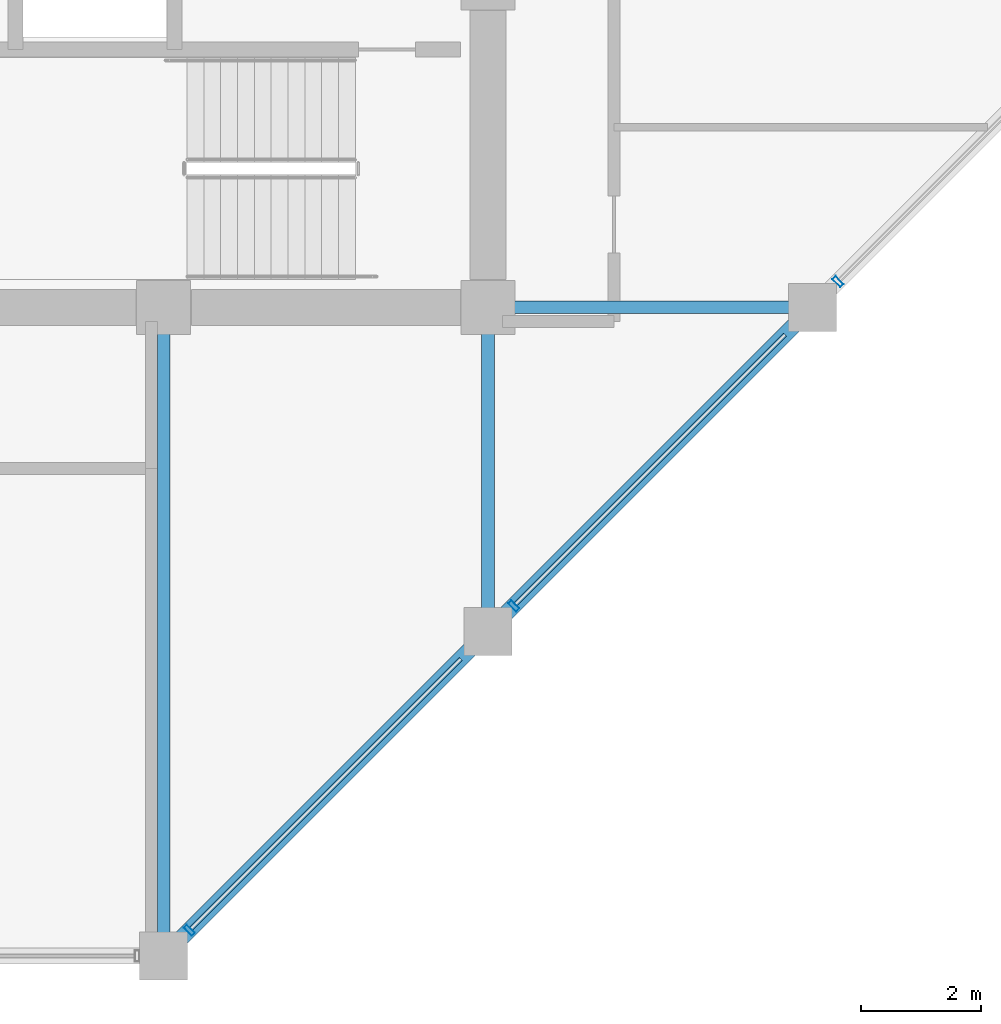
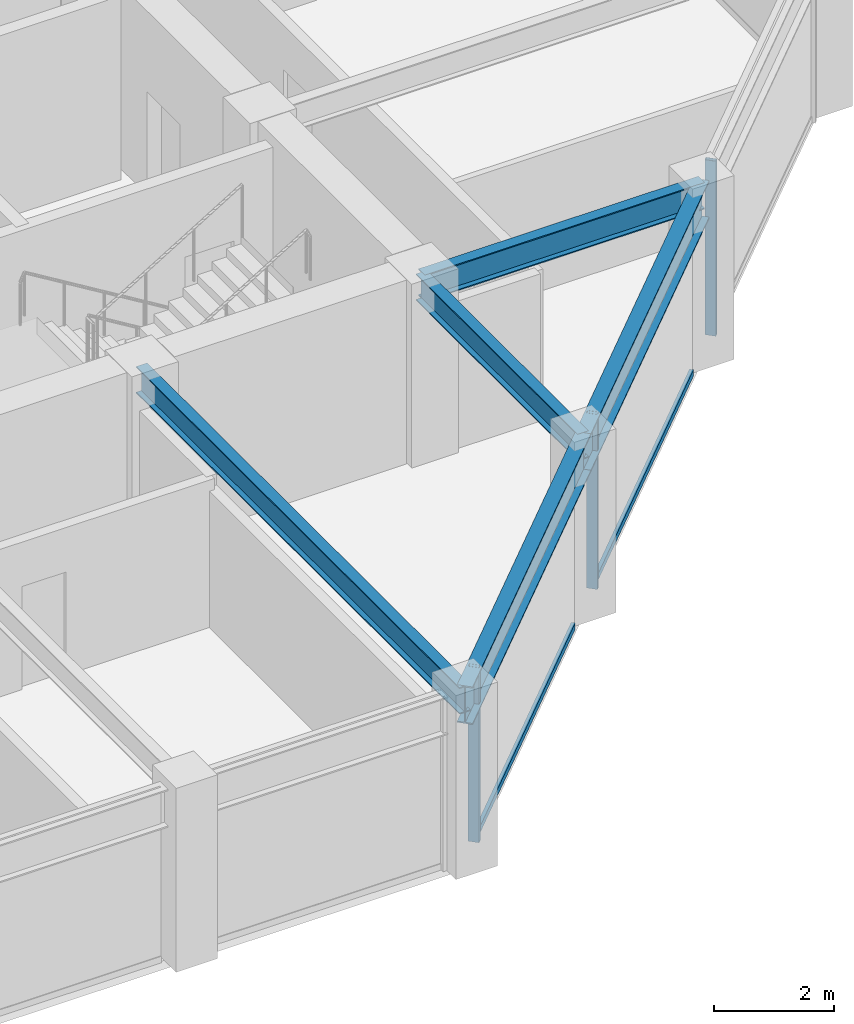
# One storey, part 12 of 32: 5 beams, 5 members, 1 element without a shape of its own.
"""IFC4 building model written with IfcOpenShell, lengths in metres."""

import ifcopenshell
import ifcopenshell.guid

model = None  # the IFC model being written
_history = None  # IfcOwnerHistory: only IFC2X3 demands one
_inside = {}  # id of a spatial element -> (the spatial element, [elements in it])
_under = {}  # id of a project, library or spatial element -> (it, [spatial elements below it])
_declared = {}  # id of a project -> (the project, [libraries it declares])
_typed = {}  # id of a type object -> (the type object, [elements of that type])
_made_of = {}  # id of a material, layer set ... -> (it, [elements and type objects made of it])


def new_model(schema):
    """Start an empty IFC model of exactly this schema.

    Asked for "IFC4X3", IfcOpenShell would pick the latest addendum, in which some entities
    have other attributes; the version numbers below select the first issue.
    IFC2X3 requires an IfcOwnerHistory on every rooted entity: one is made here for all.
    """
    global model, _history
    if schema == "IFC4X3":
        model = ifcopenshell.file(schema_version=(4, 3, 0, 0))
    else:
        model = ifcopenshell.file(schema=schema)
    _inside.clear()
    _under.clear()
    _declared.clear()
    _typed.clear()
    _made_of.clear()
    _history = None
    if model.schema == "IFC2X3":
        org = make("IfcOrganization", Name="unknown")
        user = make(
            "IfcPersonAndOrganization",
            ThePerson=make("IfcPerson", FamilyName="unknown"),
            TheOrganization=org,
        )
        app = make(
            "IfcApplication",
            ApplicationDeveloper=org,
            Version="unknown",
            ApplicationFullName="unknown",
            ApplicationIdentifier="unknown",
        )
        _history = make(
            "IfcOwnerHistory",
            OwningUser=user,
            OwningApplication=app,
            ChangeAction="ADDED",
            CreationDate=0,
        )
    return model


def make(cls, **values):
    """One entity of the class cls with the attributes given. An attribute that is None is left unset."""
    return model.create_entity(
        cls, **{name: value for name, value in values.items() if value is not None}
    )


def rooted(cls, **values):
    """An entity with a GlobalId (a new one), such as an element, a storey or a relation."""
    return make(cls, GlobalId=ifcopenshell.guid.new(), OwnerHistory=_history, **values)


def si_unit(unit_type, name, prefix=None):
    """IfcSIUnit, for example si_unit("LENGTHUNIT", "METRE", prefix="MILLI")."""
    return make("IfcSIUnit", UnitType=unit_type, Prefix=prefix, Name=name)


def assignment(units):
    """IfcUnitAssignment: the units of a project."""
    return None if units is None else make("IfcUnitAssignment", Units=units)


def point(xyz):
    """IfcCartesianPoint."""
    return None if xyz is None else make("IfcCartesianPoint", Coordinates=xyz)


def direction(xyz):
    """IfcDirection."""
    return None if xyz is None else make("IfcDirection", DirectionRatios=xyz)


def frame(location, z_axis=None, x_axis=None):
    """IfcAxis2Placement3D, a coordinate frame: its origin and axes. An axis left out is left unset."""
    return make(
        "IfcAxis2Placement3D",
        Location=point(location),
        Axis=direction(z_axis),
        RefDirection=direction(x_axis),
    )


def frame_2d(location, x_axis=None):
    """IfcAxis2Placement2D, a coordinate frame in the plane: its origin and x axis."""
    return make(
        "IfcAxis2Placement2D", Location=point(location), RefDirection=direction(x_axis)
    )


def origin():
    """The frame at (0, 0, 0) with its axes left unset."""
    return frame((0.0, 0.0, 0.0))


def origin_2d():
    """The frame at (0, 0) in the plane with its x axis left unset."""
    return frame_2d((0.0, 0.0))


def place(relative_to, where):
    """IfcLocalPlacement: puts the frame where relative to a parent placement (None: the world)."""
    return make(
        "IfcLocalPlacement", PlacementRelTo=relative_to, RelativePlacement=where
    )


def context(
    kind, dimensions, precision=None, world=None, true_north=None, identifier=None
):
    """IfcGeometricRepresentationContext, for example the 3D "Model" context."""
    return make(
        "IfcGeometricRepresentationContext",
        ContextIdentifier=identifier,
        ContextType=kind,
        CoordinateSpaceDimension=dimensions,
        Precision=precision,
        WorldCoordinateSystem=world,
        TrueNorth=true_north,
    )


def subcontext(parent, identifier, kind, view, scale=None):
    """IfcGeometricRepresentationSubContext, for example "Body" below "Model"."""
    return make(
        "IfcGeometricRepresentationSubContext",
        ContextIdentifier=identifier,
        ContextType=kind,
        ParentContext=parent,
        TargetScale=scale,
        TargetView=view,
    )


def project(units=None, contexts=None):
    """IfcProject with its units and contexts."""
    return rooted(
        "IfcProject",
        Name="project",
        RepresentationContexts=contexts,
        UnitsInContext=assignment(units),
    )


def spatial(cls, under=None, at=None, **own):
    """A site, building, storey or space (cls), placed at a placement, below another one or the project."""
    s = rooted(cls, ObjectPlacement=at, **own)
    if under is not None:
        _under.setdefault(under.id(), (under, []))[1].append(s)
    return s


def profile(cls, at=None, kind="AREA", **sizes):
    """A parametric profile (cls). Its sizes go by their IFC names, for example OverallWidth=200.0."""
    return make(cls, ProfileType=kind, Position=at, **sizes)


def hollow_rectangle(**sizes):
    """IfcRectangleHollowProfileDef."""
    return profile("IfcRectangleHollowProfileDef", **sizes)


def i_section(**sizes):
    """IfcIShapeProfileDef."""
    return profile("IfcIShapeProfileDef", **sizes)


def extrude(swept, where, along, depth):
    """IfcExtrudedAreaSolid: the profile swept, set in the frame where, extruded along a direction by depth."""
    return make(
        "IfcExtrudedAreaSolid",
        SweptArea=swept,
        Position=where,
        ExtrudedDirection=direction(along),
        Depth=depth,
    )


def shape(context_of_items, identifier, shape_type, items):
    """IfcShapeRepresentation: the items that make up one representation, for example the "Body"."""
    return make(
        "IfcShapeRepresentation",
        ContextOfItems=context_of_items,
        RepresentationIdentifier=identifier,
        RepresentationType=shape_type,
        Items=items,
    )


def material(Name=None, Category=None):
    """IfcMaterial."""
    return make("IfcMaterial", Name=Name, Category=Category)


def layer(
    of_material, thickness, ventilated=None, Name=None, Category=None, Priority=None
):
    """IfcMaterialLayer: one layer of a wall or slab, of a material (None: an air gap)."""
    return make(
        "IfcMaterialLayer",
        Material=of_material,
        LayerThickness=thickness,
        IsVentilated=ventilated,
        Name=Name,
        Category=Category,
        Priority=Priority,
    )


def layer_set(layers, Name=None):
    """IfcMaterialLayerSet."""
    return make("IfcMaterialLayerSet", MaterialLayers=layers, LayerSetName=Name)


def material_profile(
    of_material, cross_section, Name=None, Category=None, Priority=None
):
    """IfcMaterialProfile: a cross section and its material."""
    return make(
        "IfcMaterialProfile",
        Name=Name,
        Material=of_material,
        Profile=cross_section,
        Priority=Priority,
        Category=Category,
    )


def profile_set(profiles, Name=None, composite=None):
    """IfcMaterialProfileSet."""
    return make(
        "IfcMaterialProfileSet",
        Name=Name,
        MaterialProfiles=profiles,
        CompositeProfile=composite,
    )


def made_of(thing, what):
    """Note that an element or type object is made of a material, layer set ...; save() writes the relation."""
    if what is not None:
        _made_of.setdefault(what.id(), (what, []))[1].append(thing)
    return thing


def type_object(cls, material=None, **own):
    """A type object (cls), such as IfcWallType, which elements share."""
    return made_of(rooted(cls, **own), material)


def element(
    cls,
    number,
    at=None,
    inside=None,
    cuts=None,
    type_object=None,
    material=None,
    context=None,
    identifier="Body",
    shape_type=None,
    held_by="IfcProductDefinitionShape",
    body=None,
    shapes=None,
    **own,
):
    """One element of the class cls, such as IfcWall. Its Tag is "e" and its number.

    at: its placement. inside: the storey or other place that contains it. cuts: it is an
    opening in that element (IfcRelVoidsElement). A single representation is given by context,
    identifier, shape_type and body (its items); several are given by shapes. held_by: the class
    of the entity that holds the representations. save() writes the other relations.
    """
    e = rooted(cls, Tag="e%d" % number, ObjectPlacement=at, **own)
    if body is not None:
        shapes = [shape(context, identifier, shape_type, body)]
    if shapes is not None:
        e.Representation = make(held_by, Representations=shapes)
    if inside is not None:
        _inside.setdefault(inside.id(), (inside, []))[1].append(e)
    if cuts is not None:
        rooted(
            "IfcRelVoidsElement", RelatingBuildingElement=cuts, RelatedOpeningElement=e
        )
    if type_object is not None:
        _typed.setdefault(type_object.id(), (type_object, []))[1].append(e)
    return made_of(e, material)


def aggregate(whole, parts):
    """IfcRelAggregates: a whole, such as a stair, and the parts it consists of."""
    return rooted("IfcRelAggregates", RelatingObject=whole, RelatedObjects=parts)


def save(model, path):
    """Write the relations noted so far, then the file.

    IfcRelAggregates (storeys below a building ...), IfcRelContainedInSpatialStructure (elements
    in a storey), IfcRelDefinesByType, IfcRelAssociatesMaterial and IfcRelDeclares: one each for
    every whole, place, type object, material and project.
    """
    for whole, parts in _under.values():
        aggregate(whole, parts)
    for where, things in _inside.values():
        rooted(
            "IfcRelContainedInSpatialStructure",
            RelatedElements=things,
            RelatingStructure=where,
        )
    for kind, things in _typed.values():
        rooted("IfcRelDefinesByType", RelatedObjects=things, RelatingType=kind)
    for what, things in _made_of.values():
        rooted("IfcRelAssociatesMaterial", RelatedObjects=things, RelatingMaterial=what)
    for by, libraries in _declared.values():
        rooted("IfcRelDeclares", RelatingContext=by, RelatedDefinitions=libraries)
    model.write(path)


model = new_model("IFC4")

# Units and contexts
model_context = context("Model", 3, precision=1e-05, world=origin(), true_north=direction((0.0, 1.0)))
body_context = subcontext(model_context, "Body", "Model", "MODEL_VIEW")
ifc_project = project(units=[si_unit("LENGTHUNIT", "METRE"), si_unit("AREAUNIT", "SQUARE_METRE"), si_unit("VOLUMEUNIT", "CUBIC_METRE"), si_unit("PLANEANGLEUNIT", "RADIAN"), si_unit("MASSUNIT", "GRAM", prefix="KILO")], contexts=[model_context])

# Site, building, storey
site_placement = place(None, origin())
site = spatial("IfcSite", under=ifc_project, at=site_placement, CompositionType="ELEMENT")
building_placement = place(site_placement, origin())
building = spatial("IfcBuilding", under=site, at=building_placement, Name="Surkhivell Harbour Commons", CompositionType="ELEMENT")
storey_placement = place(building_placement, frame((0.0, 0.0, 219.75)))
storey = spatial("IfcBuildingStorey", under=building, at=storey_placement, Name="L57", CompositionType="ELEMENT", Elevation=219.75)

# Beams
ifc_material_1 = material(Name="Steel S355", Category="steel")
ifc_material_profile_1 = material_profile(ifc_material_1, i_section(OverallWidth=0.2119140625, OverallDepth=0.5439453125, WebThickness=0.0126953125, FlangeThickness=0.021240234375, at=origin_2d()), Name="UB533x210x122")
ifc_profile_set_1 = profile_set([ifc_material_profile_1], Name="Steel S355")
beam_type_1 = type_object("IfcBeamType", Name="BM-GRD-533A", PredefinedType="BEAM", material=ifc_profile_set_1)
beam_1_placement = place(storey_placement, frame((5.39990234375, -21.60009765625, 3.298095703125), z_axis=(0.0, 1.0, 0.0), x_axis=(-1.0, 0.0, 0.0)))
element("IfcBeam", 1, at=beam_1_placement, inside=storey, type_object=beam_type_1, Name="L57 Floor Girder (5.4,-21.6)", PredefinedType="BEAM", context=body_context, shape_type="SweptSolid", body=[
    extrude(i_section(OverallWidth=0.2119140625, OverallDepth=0.5439453125, WebThickness=0.0126953125, FlangeThickness=0.021240234375, at=origin_2d()), origin(), (0.0, 0.0, 1.0), 10.800048828125),
])
for number, where, z_axis, x_axis, name in (
    (2, (10.800048828125, -16.199951171875, 3.298095703125), (0.0, 1.0, 0.0), (-1.0, 0.0, 0.0), "L57 Floor Girder (10.8,-16.2)"),
    (3, (10.800048828125, -10.800048828125, 3.298095703125), (1.0, 0.0, 0.0), (0.0, 1.0, 0.0), "L57 Floor Girder (10.8,-10.8)"),
):
    element("IfcBeam", number, at=place(storey_placement, frame(where, z_axis=z_axis, x_axis=x_axis)), inside=storey, type_object=beam_type_1, Name=name, PredefinedType="BEAM", context=body_context, shape_type="SweptSolid", body=[
        extrude(i_section(OverallWidth=0.2119140625, OverallDepth=0.5439453125, WebThickness=0.0126953125, FlangeThickness=0.021240234375, at=origin_2d()), origin(), (0.0, 0.0, 1.0), 5.39990234375),
    ])
ifc_material_profile_2 = material_profile(ifc_material_1, i_section(OverallWidth=0.26806640625, OverallDepth=0.77001953125, WebThickness=0.015625, FlangeThickness=0.025390625, at=origin_2d()), Name="UB762x267x197")
ifc_profile_set_2 = profile_set([ifc_material_profile_2], Name="Steel S355")
beam_type_2 = type_object("IfcBeamType", Name="BM-SPN-762", PredefinedType="SPANDREL", material=ifc_profile_set_2)
beam_2_placement = place(storey_placement, frame((5.39990234375, -21.60009765625, 3.18505859375), z_axis=(0.707106781187, 0.707106781187, 0.0), x_axis=(-0.707106781187, 0.707106781187, 0.0)))
element("IfcBeam", 4, at=beam_2_placement, inside=storey, type_object=beam_type_2, Name="L57 Tube Spandrel (5.4,-21.6)", PredefinedType="SPANDREL", context=body_context, shape_type="SweptSolid", body=[
    extrude(i_section(OverallWidth=0.26806640625, OverallDepth=0.77001953125, WebThickness=0.015625, FlangeThickness=0.025390625, at=origin_2d()), origin(), (0.0, 0.0, 1.0), 7.636962890625),
])
beam_3_placement = place(storey_placement, frame((10.800048828125, -16.199951171875, 3.18505859375), z_axis=(0.707106781187, 0.707106781187, 0.0), x_axis=(-0.707106781187, 0.707106781187, 0.0)))
element("IfcBeam", 5, at=beam_3_placement, inside=storey, type_object=beam_type_2, Name="L57 Tube Spandrel (10.8,-16.2)", PredefinedType="SPANDREL", context=body_context, shape_type="SweptSolid", body=[
    extrude(i_section(OverallWidth=0.26806640625, OverallDepth=0.77001953125, WebThickness=0.015625, FlangeThickness=0.025390625, at=origin_2d()), origin(), (0.0, 0.0, 1.0), 7.63671875),
])

# Curtain wall, members
ifc_material_2 = material(Name="Anodised pale-metal aluminium and insulated glazing", Category="aluminium")
ifc_layer = layer(ifc_material_2, 0.18994140625)
ifc_layer_set = layer_set([ifc_layer], Name="Anodised pale-metal aluminium and insulated glazing")
curtain_wall_type = type_object("IfcCurtainWallType", Name="CW-SYS-Z3", PredefinedType="NOTDEFINED", material=ifc_layer_set)
curtain_wall_placement = place(storey_placement, origin())
curtain_wall = element("IfcCurtainWall", 6, at=curtain_wall_placement, inside=storey, type_object=curtain_wall_type, Name="L57 Curtain Wall CW-L57-E01", PredefinedType="NOTDEFINED")
ifc_material_3 = material(Name="Anodised pale-metal aluminium alloy 6063-T6", Category="aluminium")
ifc_material_profile_3 = material_profile(ifc_material_3, hollow_rectangle(XDim=0.074951171875, YDim=0.18994140625, WallThickness=0.00390625, at=origin_2d()), Name="ALU-MULL-75x190")
ifc_profile_set_3 = profile_set([ifc_material_profile_3], Name="Anodised pale-metal aluminium alloy 6063-T6")
member_type_1 = type_object("IfcMemberType", Name="CWM-190", PredefinedType="MULLION", material=ifc_profile_set_3)
member_1_placement = place(storey_placement, frame((5.828125, -21.171875, 0.0), z_axis=(0.0, 0.0, 1.0), x_axis=(0.707106781187, 0.707106781187, 0.0)))
member_1 = element("IfcMember", 7, at=member_1_placement, type_object=member_type_1, Name="CW-Z3 mullion 1", PredefinedType="MULLION", context=body_context, shape_type="SweptSolid", body=[
    extrude(hollow_rectangle(XDim=0.074951171875, YDim=0.18994140625, WallThickness=0.00390625, at=origin_2d()), origin(), (0.0, 0.0, 1.0), 3.570068359375),
])
member_2_placement = place(storey_placement, frame((11.228271484375, -15.771728515625, 0.0), z_axis=(0.0, 0.0, 1.0), x_axis=(0.707106781187, 0.707106781187, 0.0)))
member_2 = element("IfcMember", 8, at=member_2_placement, type_object=member_type_1, Name="CW-Z3 mullion 2", PredefinedType="MULLION", context=body_context, shape_type="SweptSolid", body=[
    extrude(hollow_rectangle(XDim=0.074951171875, YDim=0.18994140625, WallThickness=0.00390625, at=origin_2d()), origin(), (0.0, 0.0, 1.0), 3.570068359375),
])
member_3_placement = place(storey_placement, frame((16.628173828125, -10.371826171875, 0.0), z_axis=(0.0, 0.0, 1.0), x_axis=(0.707106781187, 0.707106781187, 0.0)))
member_3 = element("IfcMember", 9, at=member_3_placement, type_object=member_type_1, Name="CW-Z3 mullion 3", PredefinedType="MULLION", context=body_context, shape_type="SweptSolid", body=[
    extrude(hollow_rectangle(XDim=0.074951171875, YDim=0.18994140625, WallThickness=0.00390625, at=origin_2d()), origin(), (0.0, 0.0, 1.0), 3.570068359375),
])
ifc_material_4 = material(Name="Champagne anodised aluminium alloy 6063-T6", Category="aluminium")
ifc_material_profile_4 = material_profile(ifc_material_4, hollow_rectangle(XDim=0.070068359375, YDim=0.1298828125, WallThickness=0.00341796875, at=origin_2d()), Name="ALU-TRAN-70x130")
ifc_profile_set_4 = profile_set([ifc_material_profile_4], Name="Champagne anodised aluminium alloy 6063-T6")
member_type_2 = type_object("IfcMemberType", Name="CWT-130", PredefinedType="USERDEFINED", material=ifc_profile_set_4)
member_4_placement = place(storey_placement, frame((5.854736328125, -21.145263671875, 0.06494140625), z_axis=(0.707106781187, 0.707106781187, 0.0), x_axis=(-0.707106781187, 0.707106781187, 0.0)))
member_4 = element("IfcMember", 10, at=member_4_placement, type_object=member_type_2, Name="CW-Z3 transom 1.1", ObjectType="TRANSOM", PredefinedType="USERDEFINED", context=body_context, shape_type="SweptSolid", body=[
    extrude(hollow_rectangle(XDim=0.070068359375, YDim=0.1298828125, WallThickness=0.00341796875, at=origin_2d()), origin(), (0.0, 0.0, 1.0), 6.3505859375),
])
member_5_placement = place(storey_placement, frame((11.254638671875, -15.745361328125, 0.06494140625), z_axis=(0.707106781187, 0.707106781187, 0.0), x_axis=(-0.707106781187, 0.707106781187, 0.0)))
member_5 = element("IfcMember", 11, at=member_5_placement, type_object=member_type_2, Name="CW-Z3 transom 2.1", ObjectType="TRANSOM", PredefinedType="USERDEFINED", context=body_context, shape_type="SweptSolid", body=[
    extrude(hollow_rectangle(XDim=0.070068359375, YDim=0.1298828125, WallThickness=0.00341796875, at=origin_2d()), origin(), (0.0, 0.0, 1.0), 6.350830078125),
])
aggregate(curtain_wall, [member_1, member_4, member_2, member_5, member_3])

save(model, "model.ifc")
